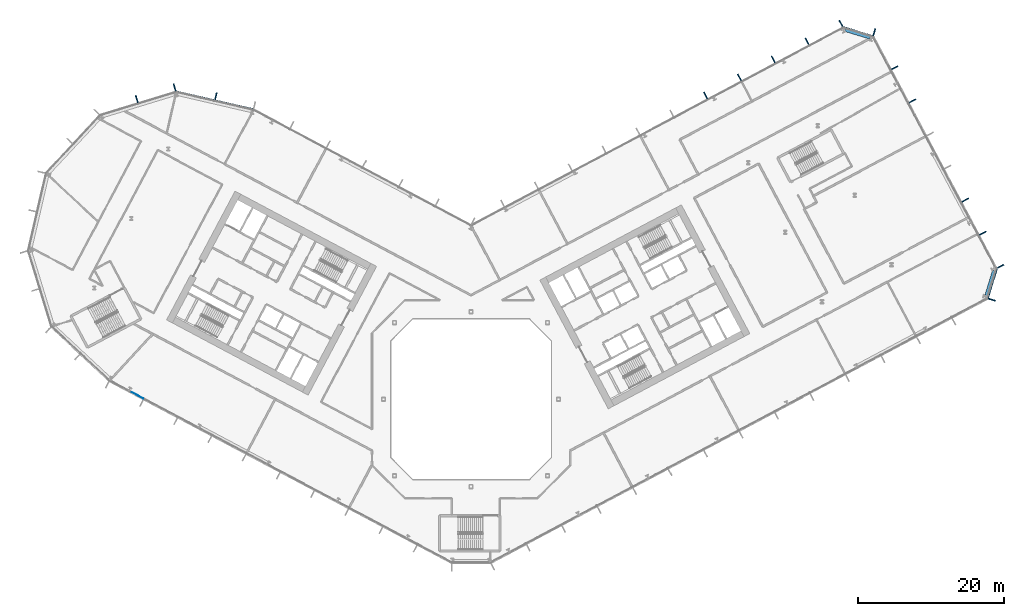
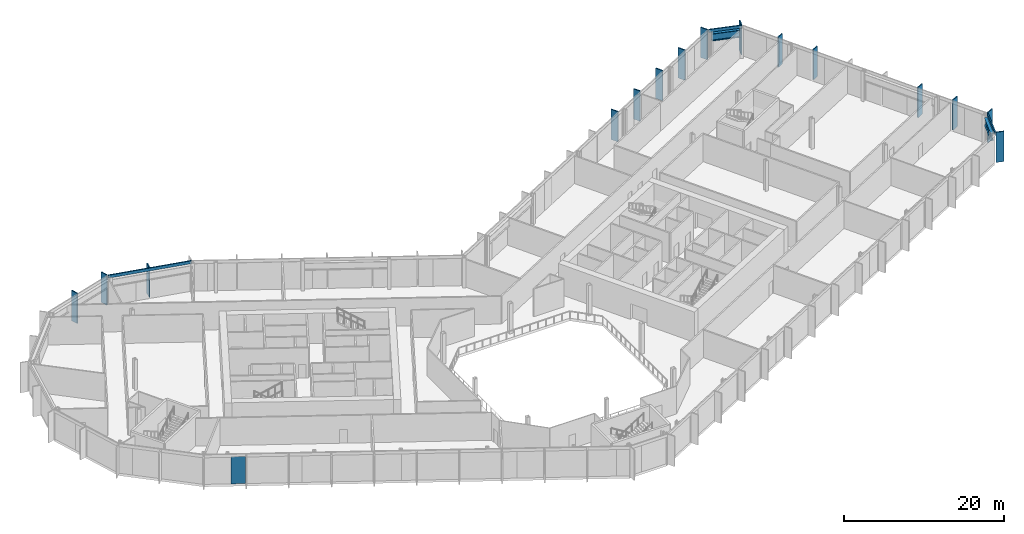
# One storey, part 9 of 31: 18 members, 2 beams, 1 plate, 7 elements without a shape of their own.
"""IFC4 building model written with IfcOpenShell, lengths in metres."""

from ifc_helpers import new_model, si_unit, direction, frame, origin, origin_2d, place, context, subcontext, project, spatial, rectangle, i_section, extrude, material, layer, layer_set, material_profile, profile_set, type_object, element, aggregate, save


model = new_model("IFC4")

# Units and contexts
model_context = context("Model", 3, precision=1e-05, world=origin(), true_north=direction((0.0, 1.0)))
body_context = subcontext(model_context, "Body", "Model", "MODEL_VIEW")
ifc_project = project(units=[si_unit("LENGTHUNIT", "METRE"), si_unit("AREAUNIT", "SQUARE_METRE"), si_unit("VOLUMEUNIT", "CUBIC_METRE"), si_unit("PLANEANGLEUNIT", "RADIAN"), si_unit("MASSUNIT", "GRAM", prefix="KILO")], contexts=[model_context])

# Site, building, storey
site_placement = place(None, origin())
site = spatial("IfcSite", under=ifc_project, at=site_placement, CompositionType="ELEMENT")
building_placement = place(site_placement, origin())
building = spatial("IfcBuilding", under=site, at=building_placement, Name="Cormorant Relay Tower", CompositionType="ELEMENT")
storey_placement = place(building_placement, frame((0.0, 0.0, 98.39990234375)))
storey = spatial("IfcBuildingStorey", under=building, at=storey_placement, Name="L19", CompositionType="ELEMENT", Elevation=98.39990234375)

# Curtain wall, member
ifc_material_1 = material(Name="Aluminium 6063-T6 anodised bronze", Category="aluminium")
ifc_layer_1 = layer(ifc_material_1, 0.199951171875)
ifc_layer_set_1 = layer_set([ifc_layer_1], Name="CW1 unitised bronze curtain wall with vertical fins")
curtain_wall_type = type_object("IfcCurtainWallType", Name="CW1 unitised bronze curtain wall with vertical fins", PredefinedType="NOTDEFINED", material=ifc_layer_set_1)
curtain_wall_1_placement = place(storey_placement, origin())
curtain_wall_1 = element("IfcCurtainWall", 1, at=curtain_wall_1_placement, inside=storey, type_object=curtain_wall_type, Name="CW1 curtain wall 3", PredefinedType="NOTDEFINED")
ifc_material_2 = material(Name="Aluminium 6063-T6 anodised bronze", Category="aluminium")
ifc_material_profile_1 = material_profile(ifc_material_2, rectangle(XDim=0.14990234375, YDim=1.0, at=origin_2d()), Name="AL 150x1000")
ifc_profile_set_1 = profile_set([ifc_material_profile_1], Name="Aluminium 6063-T6 anodised bronze")
member_type_1 = type_object("IfcMemberType", Name="CW1 bronze fin mullion 150 x 1000", PredefinedType="MULLION", material=ifc_profile_set_1)
member_1_placement = place(storey_placement, frame((71.45166015625, 13.64697265625, 0.0), z_axis=(0.0, 0.0, 1.0), x_axis=(0.292371704723, 0.956304755963, 0.0)))
member_1 = element("IfcMember", 2, at=member_1_placement, type_object=member_type_1, Name="CW1 fin 3.1", PredefinedType="MULLION", context=body_context, shape_type="SweptSolid", body=[
    extrude(rectangle(XDim=0.14990234375, YDim=1.0, at=origin_2d()), origin(), (0.0, 0.0, 1.0), 4.60009765625),
])

# Curtain wall, members
curtain_wall_2_placement = place(storey_placement, origin())
curtain_wall_2 = element("IfcCurtainWall", 3, at=curtain_wall_2_placement, inside=storey, type_object=curtain_wall_type, Name="CW1 curtain wall 4", PredefinedType="NOTDEFINED")
member_2_placement = place(storey_placement, frame((72.640869140625, 18.237548828125, 0.0), z_axis=(0.0, 0.0, 1.0), x_axis=(-0.469471562786, 0.882947592859, 0.0)))
member_2 = element("IfcMember", 4, at=member_2_placement, type_object=member_type_1, Name="CW1 fin 4.1", PredefinedType="MULLION", context=body_context, shape_type="SweptSolid", body=[
    extrude(rectangle(XDim=0.14990234375, YDim=1.0, at=origin_2d()), origin(), (0.0, 0.0, 1.0), 4.60009765625),
])
member_3_placement = place(storey_placement, frame((70.226318359375, 22.7783203125, 0.0), z_axis=(0.0, 0.0, 1.0), x_axis=(-0.469471562786, 0.882947592859, 0.0)))
member_3 = element("IfcMember", 5, at=member_3_placement, type_object=member_type_1, Name="CW1 fin 4.2", PredefinedType="MULLION", context=body_context, shape_type="SweptSolid", body=[
    extrude(rectangle(XDim=0.14990234375, YDim=1.0, at=origin_2d()), origin(), (0.0, 0.0, 1.0), 4.60009765625),
])
member_4_placement = place(storey_placement, frame((67.81201171875, 27.3193359375, 0.0), z_axis=(0.0, 0.0, 1.0), x_axis=(-0.469471562786, 0.882947592859, 0.0)))
member_4 = element("IfcMember", 6, at=member_4_placement, type_object=member_type_1, Name="CW1 fin 4.3", PredefinedType="MULLION", context=body_context, shape_type="SweptSolid", body=[
    extrude(rectangle(XDim=0.14990234375, YDim=1.0, at=origin_2d()), origin(), (0.0, 0.0, 1.0), 4.60009765625),
])
member_5_placement = place(storey_placement, frame((60.568603515625, 40.94189453125, 0.0), z_axis=(0.0, 0.0, 1.0), x_axis=(-0.469471562786, 0.882947592859, 0.0)))
member_5 = element("IfcMember", 7, at=member_5_placement, type_object=member_type_1, Name="CW1 fin 4.6", PredefinedType="MULLION", context=body_context, shape_type="SweptSolid", body=[
    extrude(rectangle(XDim=0.14990234375, YDim=1.0, at=origin_2d()), origin(), (0.0, 0.0, 1.0), 4.60009765625),
])
member_6_placement = place(storey_placement, frame((58.154296875, 45.48291015625, 0.0), z_axis=(0.0, 0.0, 1.0), x_axis=(-0.469471562786, 0.882947592859, 0.0)))
member_6 = element("IfcMember", 8, at=member_6_placement, type_object=member_type_1, Name="CW1 fin 4.7", PredefinedType="MULLION", context=body_context, shape_type="SweptSolid", body=[
    extrude(rectangle(XDim=0.14990234375, YDim=1.0, at=origin_2d()), origin(), (0.0, 0.0, 1.0), 4.60009765625),
])
aggregate(curtain_wall_2, [member_2, member_3, member_4, member_5, member_6])

# Curtain wall, member
curtain_wall_3_placement = place(storey_placement, origin())
curtain_wall_3 = element("IfcCurtainWall", 9, at=curtain_wall_3_placement, inside=storey, type_object=curtain_wall_type, Name="CW1 curtain wall 5", PredefinedType="NOTDEFINED")
member_7_placement = place(storey_placement, frame((55.326416015625, 50.364501953125, 0.0), z_axis=(0.0, 0.0, 1.0), x_axis=(-0.956304755963, 0.292371704723, 0.0)))
member_7 = element("IfcMember", 10, at=member_7_placement, type_object=member_type_1, Name="CW1 fin 5.1", PredefinedType="MULLION", context=body_context, shape_type="SweptSolid", body=[
    extrude(rectangle(XDim=0.14990234375, YDim=1.0, at=origin_2d()), origin(), (0.0, 0.0, 1.0), 4.60009765625),
])

# Curtain wall, members
curtain_wall_4_placement = place(storey_placement, origin())
curtain_wall_4 = element("IfcCurtainWall", 11, at=curtain_wall_4_placement, inside=storey, type_object=curtain_wall_type, Name="CW1 curtain wall 6", PredefinedType="NOTDEFINED")
member_8_placement = place(storey_placement, frame((50.73583984375, 51.553466796875, 0.0), z_axis=(0.0, 0.0, 1.0), x_axis=(-0.882947592859, -0.469471562786, 0.0)))
member_8 = element("IfcMember", 12, at=member_8_placement, type_object=member_type_1, Name="CW1 fin 6.1", PredefinedType="MULLION", context=body_context, shape_type="SweptSolid", body=[
    extrude(rectangle(XDim=0.14990234375, YDim=1.0, at=origin_2d()), origin(), (0.0, 0.0, 1.0), 4.60009765625),
])
member_9_placement = place(storey_placement, frame((46.093505859375, 49.085205078125, 0.0), z_axis=(0.0, 0.0, 1.0), x_axis=(-0.882947592859, -0.469471562786, 0.0)))
member_9 = element("IfcMember", 13, at=member_9_placement, type_object=member_type_1, Name="CW1 fin 6.2", PredefinedType="MULLION", context=body_context, shape_type="SweptSolid", body=[
    extrude(rectangle(XDim=0.14990234375, YDim=1.0, at=origin_2d()), origin(), (0.0, 0.0, 1.0), 4.60009765625),
])
member_10_placement = place(storey_placement, frame((41.451416015625, 46.616943359375, 0.0), z_axis=(0.0, 0.0, 1.0), x_axis=(-0.882947592859, -0.469471562786, 0.0)))
member_10 = element("IfcMember", 14, at=member_10_placement, type_object=member_type_1, Name="CW1 fin 6.3", PredefinedType="MULLION", context=body_context, shape_type="SweptSolid", body=[
    extrude(rectangle(XDim=0.14990234375, YDim=1.0, at=origin_2d()), origin(), (0.0, 0.0, 1.0), 4.60009765625),
])
member_11_placement = place(storey_placement, frame((36.80908203125, 44.148681640625, 0.0), z_axis=(0.0, 0.0, 1.0), x_axis=(-0.882947592859, -0.469471562786, 0.0)))
member_11 = element("IfcMember", 15, at=member_11_placement, type_object=member_type_1, Name="CW1 fin 6.4", PredefinedType="MULLION", context=body_context, shape_type="SweptSolid", body=[
    extrude(rectangle(XDim=0.14990234375, YDim=1.0, at=origin_2d()), origin(), (0.0, 0.0, 1.0), 4.60009765625),
])
member_12_placement = place(storey_placement, frame((32.1669921875, 41.68017578125, 0.0), z_axis=(0.0, 0.0, 1.0), x_axis=(-0.882947592859, -0.469471562786, 0.0)))
member_12 = element("IfcMember", 16, at=member_12_placement, type_object=member_type_1, Name="CW1 fin 6.5", PredefinedType="MULLION", context=body_context, shape_type="SweptSolid", body=[
    extrude(rectangle(XDim=0.14990234375, YDim=1.0, at=origin_2d()), origin(), (0.0, 0.0, 1.0), 4.60009765625),
])
aggregate(curtain_wall_4, [member_8, member_9, member_10, member_11, member_12])

# Curtain wall, member
curtain_wall_5_placement = place(storey_placement, origin())
curtain_wall_5 = element("IfcCurtainWall", 17, at=curtain_wall_5_placement, inside=storey, type_object=curtain_wall_type, Name="CW1 curtain wall 8", PredefinedType="NOTDEFINED")
member_13_placement = place(storey_placement, frame((-35.01220703125, 41.57275390625, 0.0), z_axis=(0.0, 0.0, 1.0), x_axis=(-0.974370064785, 0.224951054344, 0.0)))
member_13 = element("IfcMember", 18, at=member_13_placement, type_object=member_type_1, Name="CW1 fin 8.2", PredefinedType="MULLION", context=body_context, shape_type="SweptSolid", body=[
    extrude(rectangle(XDim=0.14990234375, YDim=1.0, at=origin_2d()), origin(), (0.0, 0.0, 1.0), 4.60009765625),
])

# Curtain wall, members
curtain_wall_6_placement = place(storey_placement, origin())
curtain_wall_6 = element("IfcCurtainWall", 19, at=curtain_wall_6_placement, inside=storey, type_object=curtain_wall_type, Name="CW1 curtain wall 9", PredefinedType="NOTDEFINED")
member_14_placement = place(storey_placement, frame((-40.670166015625, 42.78271484375, 0.0), z_axis=(0.0, 0.0, 1.0), x_axis=(-0.956304755963, -0.292371704723, 0.0)))
member_14 = element("IfcMember", 20, at=member_14_placement, type_object=member_type_1, Name="CW1 fin 9.1", PredefinedType="MULLION", context=body_context, shape_type="SweptSolid", body=[
    extrude(rectangle(XDim=0.14990234375, YDim=1.0, at=origin_2d()), origin(), (0.0, 0.0, 1.0), 4.60009765625),
])
member_15_placement = place(storey_placement, frame((-45.867919921875, 41.193603515625, 0.0), z_axis=(0.0, 0.0, 1.0), x_axis=(-0.956304755963, -0.292371704723, 0.0)))
member_15 = element("IfcMember", 21, at=member_15_placement, type_object=member_type_1, Name="CW1 fin 9.2", PredefinedType="MULLION", context=body_context, shape_type="SweptSolid", body=[
    extrude(rectangle(XDim=0.14990234375, YDim=1.0, at=origin_2d()), origin(), (0.0, 0.0, 1.0), 4.60009765625),
])
aggregate(curtain_wall_6, [member_14, member_15])

# Member
ifc_material_3 = material(Name="Aluminium 6063-T6 anodised bronze", Category="aluminium")
ifc_material_profile_2 = material_profile(ifc_material_3, rectangle(XDim=0.159912109375, YDim=0.449951171875, at=origin_2d()), Name="AL 160x450")
ifc_profile_set_2 = profile_set([ifc_material_profile_2], Name="Aluminium 6063-T6 anodised bronze")
member_type_2 = type_object("IfcMemberType", Name="CW1 bronze transom 160 x 450", PredefinedType="USERDEFINED", material=ifc_profile_set_2)
member_16_placement = place(storey_placement, frame((70.89697265625, 13.816650390625, 4.375), z_axis=(0.292391046905, 0.95629884225, 0.0), x_axis=(-0.95629884225, 0.292391046905, 0.0)))
member_16 = element("IfcMember", 22, at=member_16_placement, type_object=member_type_2, Name="CW1 transom 3", ObjectType="TRANSOM", PredefinedType="USERDEFINED", context=body_context, shape_type="SweptSolid", body=[
    extrude(rectangle(XDim=0.159912109375, YDim=0.449951171875, at=origin_2d()), origin(), (0.0, 0.0, 1.0), 4.242431640625),
])

aggregate(curtain_wall_1, [member_1, member_16])

member_17_placement = place(storey_placement, frame((55.15673828125, 49.809814453125, 4.375), z_axis=(-0.95629884225, 0.292391046905, 0.0), x_axis=(-0.292391046905, -0.95629884225, 0.0)))
member_17 = element("IfcMember", 23, at=member_17_placement, type_object=member_type_2, Name="CW1 transom 5", ObjectType="TRANSOM", PredefinedType="USERDEFINED", context=body_context, shape_type="SweptSolid", body=[
    extrude(rectangle(XDim=0.159912109375, YDim=0.449951171875, at=origin_2d()), origin(), (0.0, 0.0, 1.0), 4.242431640625),
])

aggregate(curtain_wall_3, [member_7, member_17])

member_18_placement = place(storey_placement, frame((-29.8466796875, 39.784912109375, 4.375), z_axis=(-0.974365070969, 0.224972683844, 0.0), x_axis=(-0.224972683844, -0.974365070969, 0.0)))
member_18 = element("IfcMember", 24, at=member_18_placement, type_object=member_type_2, Name="CW1 transom 8", ObjectType="TRANSOM", PredefinedType="USERDEFINED", context=body_context, shape_type="SweptSolid", body=[
    extrude(rectangle(XDim=0.159912109375, YDim=0.449951171875, at=origin_2d()), origin(), (0.0, 0.0, 1.0), 10.870361328125),
])

aggregate(curtain_wall_5, [member_13, member_18])

# Beams
ifc_material_4 = material(Name="Steel ASTM A992 (Fy 345 MPa)", Category="steel")
ifc_material_profile_3 = material_profile(ifc_material_4, i_section(OverallWidth=0.40380859375, OverallDepth=1.11767578125, WebThickness=0.026123046875, FlangeThickness=0.044921875, FilletRadius=0.02001953125, at=origin_2d()), Name="W1100x499")
ifc_profile_set_3 = profile_set([ifc_material_profile_3], Name="Steel ASTM A992 (Fy 345 MPa)")
beam_type = type_object("IfcBeamType", Name="Spandrel W1100x499", PredefinedType="SPANDREL", material=ifc_profile_set_3)
for number, where, z_axis, x_axis, name in (
    (25, (70.6943359375, 14.255126953125, 3.641357421875), (0.292423449705, 0.956288934403, 0.0), (-0.956288934403, 0.292423449705, 0.0), "Spandrel beam L19-003"),
    (26, (54.718017578125, 49.607421875, 3.641357421875), (-0.956308047674, 0.292360937806, 0.0), (-0.292360937806, -0.956308047674, 0.0), "Spandrel beam L19-005"),
):
    element("IfcBeam", number, at=place(storey_placement, frame(where, z_axis=z_axis, x_axis=x_axis)), inside=storey, type_object=beam_type, Name=name, PredefinedType="SPANDREL", context=body_context, shape_type="SweptSolid", body=[
        extrude(i_section(OverallWidth=0.40380859375, OverallDepth=1.11767578125, WebThickness=0.026123046875, FlangeThickness=0.044921875, FilletRadius=0.02001953125, at=origin_2d()), origin(), (0.0, 0.0, 1.0), 3.571533203125),
    ])

# Curtain wall, plate
curtain_wall_7_placement = place(storey_placement, origin())
curtain_wall_7 = element("IfcCurtainWall", 27, at=curtain_wall_7_placement, inside=storey, type_object=curtain_wall_type, Name="CW1 curtain wall 14", PredefinedType="NOTDEFINED")
ifc_material_5 = material(Name="Tinted laminated glass", Category="glass")
ifc_layer_2 = layer(ifc_material_5, 0.0400390625)
ifc_layer_set_2 = layer_set([ifc_layer_2], Name="CW1 tinted vision panel 1800 module")
plate_type = type_object("IfcPlateType", Name="CW1 tinted vision panel 1800 module", PredefinedType="CURTAIN_PANEL", material=ifc_layer_set_2)
plate_placement = place(storey_placement, frame((-45.767578125, 0.5283203125, 0.000244140625), z_axis=(0.0, 0.0, 1.0), x_axis=(0.882947592859, -0.469471562786, 0.0)))
plate = element("IfcPlate", 28, at=plate_placement, type_object=plate_type, Name="CW1 panel V01", PredefinedType="CURTAIN_PANEL", context=body_context, shape_type="SweptSolid", body=[
    extrude(rectangle(XDim=1.800048828125, YDim=0.0400390625, at=origin_2d()), origin(), (0.0, 0.0, 1.0), 4.14990234375),
])
aggregate(curtain_wall_7, [plate])

save(model, "model.ifc")
